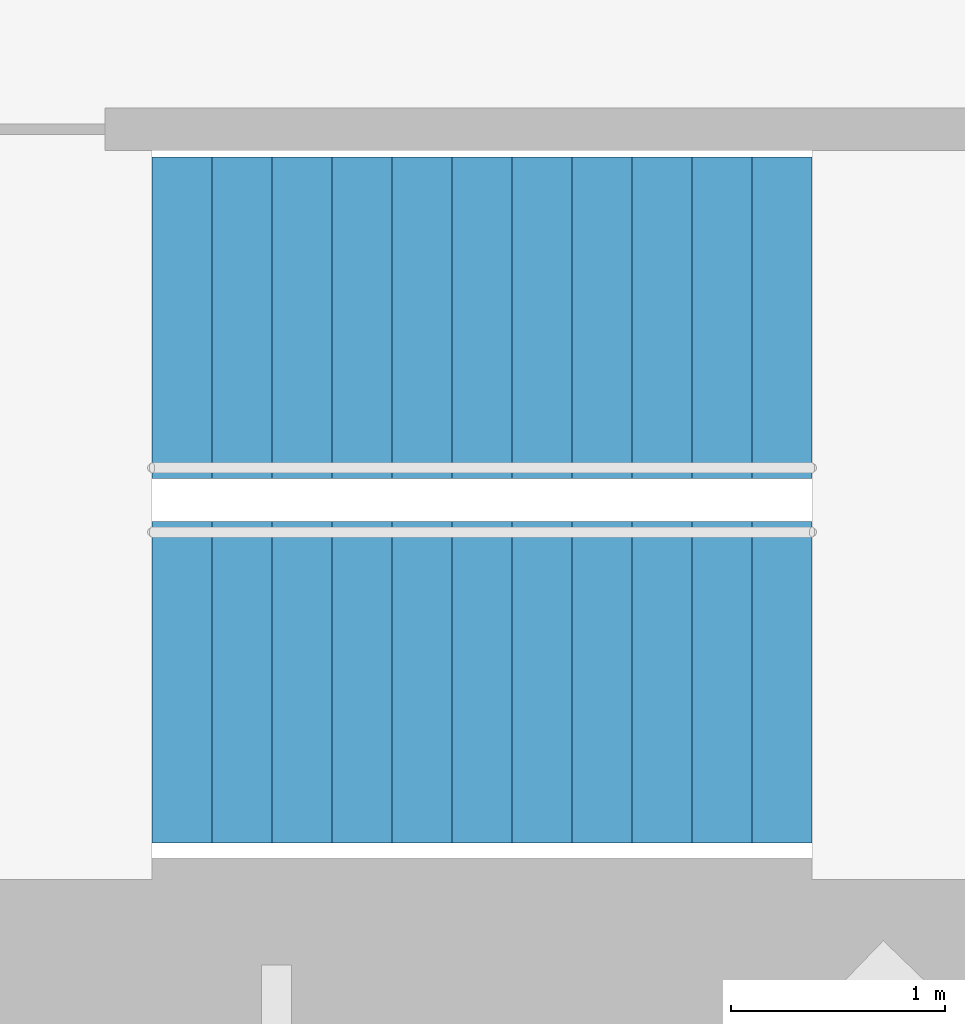
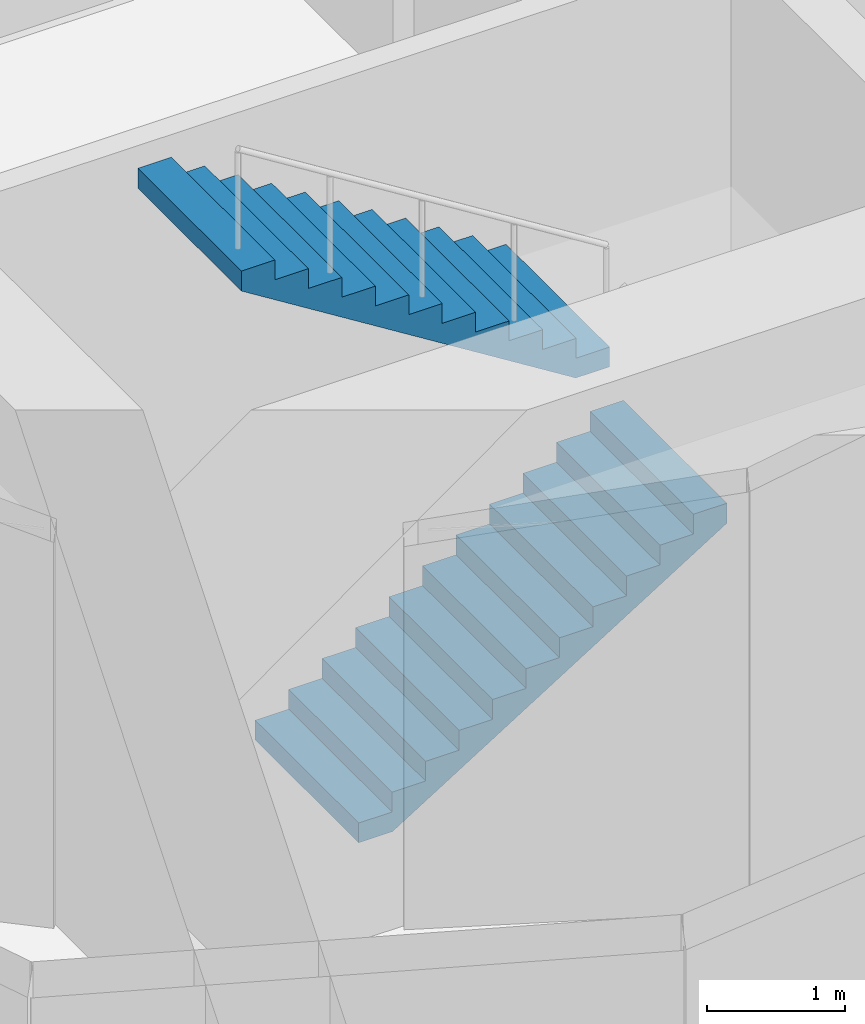
# One storey, part 15 of 17: 2 stair flights, 1 element without a shape of its own.
"""IFC4 building model written with IfcOpenShell, lengths in metres."""

from ifc_helpers import new_model, si_unit, direction, frame, origin, place, context, subcontext, project, spatial, triangles, material, type_object, element, aggregate, save


model = new_model("IFC4")

# Units and contexts
model_context = context("Model", 3, precision=1e-05, world=origin(), true_north=direction((0.0, 1.0)))
body_context = subcontext(model_context, "Body", "Model", "MODEL_VIEW")
ifc_project = project(units=[si_unit("LENGTHUNIT", "METRE"), si_unit("AREAUNIT", "SQUARE_METRE"), si_unit("VOLUMEUNIT", "CUBIC_METRE"), si_unit("PLANEANGLEUNIT", "RADIAN"), si_unit("MASSUNIT", "GRAM", prefix="KILO")], contexts=[model_context])

# Site, building, storey
site_placement = place(None, origin())
site = spatial("IfcSite", under=ifc_project, at=site_placement, CompositionType="ELEMENT")
building_placement = place(site_placement, origin())
building = spatial("IfcBuilding", under=site, at=building_placement, Name="Lantaw Convention Tower", CompositionType="ELEMENT")
storey_placement = place(building_placement, frame((0.0, 0.0, 215.800048828125)))
storey = spatial("IfcBuildingStorey", under=building, at=storey_placement, Name="L50", CompositionType="ELEMENT", Elevation=215.800048828125)

# Stair, stair flights
ifc_material = material(Name="Concrete C35/45", Category="concrete")
stair_type = type_object("IfcStairType", Name="Exit stair 1500 riser 175 in 2 flights", PredefinedType="HALF_TURN_STAIR", material=ifc_material)
stair_placement = place(storey_placement, origin())
stair = element("IfcStair", 1, at=stair_placement, inside=storey, type_object=stair_type, Name="Exit stair S1 L50", PredefinedType="HALF_TURN_STAIR")
stair_flight_type = type_object("IfcStairFlightType", Name="Stair flight 1500 riser 175", PredefinedType="STRAIGHT", material=ifc_material)
stair_flight_1_placement = place(storey_placement, frame((-10.580078125, -5.97998046875, 0.0), z_axis=(0.0, 0.0, 1.0), x_axis=(1.0, 0.0, 0.0)))
stair_flight_1 = element("IfcStairFlight", 2, at=stair_flight_1_placement, type_object=stair_flight_type, Name="S1 flight 1", NumberOfRisers=12, NumberOfTreads=11, PredefinedType="STRAIGHT", RiserHeight=0.175, TreadLength=0.28, context=body_context, shape_type="Tessellation", body=[
    triangles([(0.0, 0.75, 0.0), (0.0, 0.75, 0.175), (0.28, 0.75, 0.0), (0.28, 0.75, 0.175), (0.28, 0.75, 0.35), (0.28283517651771284, 0.75, 0.0), (0.28283517651771284, 0.75, 0.35), (0.56, 0.75, 0.17322801467642948), (0.56, 0.75, 0.35), (0.56, 0.75, 0.5249999999999999), (0.8400000000000001, 0.75, 0.34822801467642944), (0.8400000000000001, 0.75, 0.5249999999999999), (0.8400000000000001, 0.75, 0.7), (1.12, 0.75, 0.5232280146764294), (1.12, 0.75, 0.7), (1.12, 0.75, 0.875), (1.4000000000000001, 0.75, 0.6982280146764295), (1.4000000000000001, 0.75, 0.875), (1.4000000000000001, 0.75, 1.0499999999999998), (1.6800000000000002, 0.75, 0.8732280146764294), (1.6800000000000002, 0.75, 1.0499999999999998), (1.6800000000000002, 0.75, 1.2249999999999999), (1.9600000000000002, 0.75, 1.0482280146764293), (1.9600000000000002, 0.75, 1.2249999999999999), (1.9600000000000002, 0.75, 1.4), (2.24, 0.75, 1.2232280146764294), (2.24, 0.75, 1.4), (2.24, 0.75, 1.575), (2.5200000000000005, 0.75, 1.3982280146764294), (2.5200000000000005, 0.75, 1.575), (2.5200000000000005, 0.75, 1.75), (2.8000000000000003, 0.75, 1.5732280146764293), (2.8000000000000003, 0.75, 1.75), (2.8000000000000003, 0.75, 1.9249999999999998), (3.08, 0.75, 1.7482280146764293), (3.08, 0.75, 1.9249999999999998), (0.0, -0.75, 0.0), (0.0, -0.75, 0.175), (0.28, -0.75, 0.0), (0.28, -0.75, 0.175), (0.28, -0.75, 0.35), (0.28283517651771284, -0.75, 0.0), (0.28283517651771284, -0.75, 0.35), (0.56, -0.75, 0.17322801467642948), (0.56, -0.75, 0.35), (0.56, -0.75, 0.5249999999999999), (0.8400000000000001, -0.75, 0.34822801467642944), (0.8400000000000001, -0.75, 0.5249999999999999), (0.8400000000000001, -0.75, 0.7), (1.12, -0.75, 0.5232280146764294), (1.12, -0.75, 0.7), (1.12, -0.75, 0.875), (1.4000000000000001, -0.75, 0.6982280146764295), (1.4000000000000001, -0.75, 0.875), (1.4000000000000001, -0.75, 1.0499999999999998), (1.6800000000000002, -0.75, 0.8732280146764294), (1.6800000000000002, -0.75, 1.0499999999999998), (1.6800000000000002, -0.75, 1.2249999999999999), (1.9600000000000002, -0.75, 1.0482280146764293), (1.9600000000000002, -0.75, 1.2249999999999999), (1.9600000000000002, -0.75, 1.4), (2.24, -0.75, 1.2232280146764294), (2.24, -0.75, 1.4), (2.24, -0.75, 1.575), (2.5200000000000005, -0.75, 1.3982280146764294), (2.5200000000000005, -0.75, 1.575), (2.5200000000000005, -0.75, 1.75), (2.8000000000000003, -0.75, 1.5732280146764293), (2.8000000000000003, -0.75, 1.75), (2.8000000000000003, -0.75, 1.9249999999999998), (3.08, -0.75, 1.7482280146764293), (3.08, -0.75, 1.9249999999999998), (0.0, 0.15000000000000002, 0.175), (0.0, 0.15000000000000002, 0.0), (0.0, 0.0, 0.175), (0.0, 0.0, 0.0), (0.0, -0.15000000000000002, 0.175), (0.0, -0.15000000000000002, 0.0), (0.28, 0.15000000000000002, 0.35), (0.28, 0.15000000000000002, 0.175), (0.28, 0.0, 0.35), (0.28, 0.0, 0.175), (0.28, -0.15000000000000002, 0.35), (0.28, -0.15000000000000002, 0.175), (0.56, 0.15000000000000002, 0.5249999999999999), (0.56, 0.15000000000000002, 0.35), (0.56, 0.0, 0.5249999999999999), (0.56, 0.0, 0.35), (0.56, -0.15000000000000002, 0.5249999999999999), (0.56, -0.15000000000000002, 0.35), (0.8400000000000001, 0.15000000000000002, 0.7), (0.8400000000000001, 0.15000000000000002, 0.5249999999999999), (0.8400000000000001, 0.0, 0.7), (0.8400000000000001, 0.0, 0.5249999999999999), (0.8400000000000001, -0.15000000000000002, 0.7), (0.8400000000000001, -0.15000000000000002, 0.5249999999999999), (1.12, 0.15000000000000002, 0.875), (1.12, 0.15000000000000002, 0.7), (1.12, 0.0, 0.875), (1.12, 0.0, 0.7), (1.12, -0.15000000000000002, 0.875), (1.12, -0.15000000000000002, 0.7), (1.4000000000000001, 0.15000000000000002, 1.0499999999999998), (1.4000000000000001, 0.15000000000000002, 0.875), (1.4000000000000001, 0.0, 1.0499999999999998), (1.4000000000000001, 0.0, 0.875), (1.4000000000000001, -0.15000000000000002, 1.0499999999999998), (1.4000000000000001, -0.15000000000000002, 0.875), (1.6800000000000002, 0.15000000000000002, 1.2249999999999999), (1.6800000000000002, 0.15000000000000002, 1.0499999999999998), (1.6800000000000002, 0.0, 1.2249999999999999), (1.6800000000000002, 0.0, 1.0499999999999998), (1.6800000000000002, -0.15000000000000002, 1.2249999999999999), (1.6800000000000002, -0.15000000000000002, 1.0499999999999998), (1.9600000000000002, 0.15000000000000002, 1.4), (1.9600000000000002, 0.15000000000000002, 1.2249999999999999), (1.9600000000000002, 0.0, 1.4), (1.9600000000000002, 0.0, 1.2249999999999999), (1.9600000000000002, -0.15000000000000002, 1.4), (1.9600000000000002, -0.15000000000000002, 1.2249999999999999), (2.24, 0.15000000000000002, 1.575), (2.24, 0.15000000000000002, 1.4), (2.24, 0.0, 1.575), (2.24, 0.0, 1.4), (2.24, -0.15000000000000002, 1.575), (2.24, -0.15000000000000002, 1.4), (2.5200000000000005, 0.15000000000000002, 1.75), (2.5200000000000005, 0.15000000000000002, 1.575), (2.5200000000000005, 0.0, 1.75), (2.5200000000000005, 0.0, 1.575), (2.5200000000000005, -0.15000000000000002, 1.75), (2.5200000000000005, -0.15000000000000002, 1.575), (2.8000000000000003, 0.15000000000000002, 1.9249999999999998), (2.8000000000000003, 0.15000000000000002, 1.75), (2.8000000000000003, 0.0, 1.9249999999999998), (2.8000000000000003, 0.0, 1.75), (2.8000000000000003, -0.15000000000000002, 1.9249999999999998), (2.8000000000000003, -0.15000000000000002, 1.75), (0.28283517651771284, 0.15000000000000002, 0.35), (0.28283517651771284, 0.0, 0.35), (0.28283517651771284, -0.15000000000000002, 0.35), (3.08, 0.15000000000000002, 1.9249999999999998), (3.08, 0.0, 1.9249999999999998), (3.08, -0.15000000000000002, 1.9249999999999998), (3.08, 0.15000000000000002, 1.7482280146764293), (3.08, 0.0, 1.7482280146764293), (3.08, -0.15000000000000002, 1.7482280146764293), (2.8000000000000003, 0.15000000000000002, 1.5732280146764293), (2.8000000000000003, 0.0, 1.5732280146764293), (2.8000000000000003, -0.15000000000000002, 1.5732280146764293), (2.5200000000000005, 0.15000000000000002, 1.3982280146764294), (2.5200000000000005, 0.0, 1.3982280146764294), (2.5200000000000005, -0.15000000000000002, 1.3982280146764294), (2.24, 0.15000000000000002, 1.2232280146764294), (2.24, 0.0, 1.2232280146764294), (2.24, -0.15000000000000002, 1.2232280146764294), (1.9600000000000002, 0.15000000000000002, 1.0482280146764293), (1.9600000000000002, 0.0, 1.0482280146764293), (1.9600000000000002, -0.15000000000000002, 1.0482280146764293), (1.6800000000000002, 0.15000000000000002, 0.8732280146764294), (1.6800000000000002, 0.0, 0.8732280146764294), (1.6800000000000002, -0.15000000000000002, 0.8732280146764294), (1.4000000000000001, 0.15000000000000002, 0.6982280146764295), (1.4000000000000001, 0.0, 0.6982280146764295), (1.4000000000000001, -0.15000000000000002, 0.6982280146764295), (1.12, 0.15000000000000002, 0.5232280146764294), (1.12, 0.0, 0.5232280146764294), (1.12, -0.15000000000000002, 0.5232280146764294), (0.8400000000000001, 0.15000000000000002, 0.34822801467642944), (0.8400000000000001, 0.0, 0.34822801467642944), (0.8400000000000001, -0.15000000000000002, 0.34822801467642944), (0.56, 0.15000000000000002, 0.17322801467642948), (0.56, 0.0, 0.17322801467642948), (0.56, -0.15000000000000002, 0.17322801467642948), (0.28283517651771284, 0.15000000000000002, 0.0), (0.28283517651771284, 0.0, 0.0), (0.28283517651771284, -0.15000000000000002, 0.0), (0.28, 0.15000000000000002, 0.0), (0.28, 0.0, 0.0), (0.28, -0.15000000000000002, 0.0)], [[1, 4, 3], [1, 2, 4], [3, 4, 6], [4, 7, 6], [4, 5, 7], [6, 9, 8], [6, 7, 9], [8, 9, 11], [9, 12, 11], [9, 10, 12], [11, 12, 14], [12, 15, 14], [12, 13, 15], [14, 15, 17], [15, 18, 17], [15, 16, 18], [17, 18, 20], [18, 21, 20], [18, 19, 21], [20, 21, 23], [21, 24, 23], [21, 22, 24], [23, 24, 26], [24, 27, 26], [24, 25, 27], [26, 27, 29], [27, 30, 29], [27, 28, 30], [29, 30, 32], [30, 33, 32], [30, 31, 33], [32, 33, 35], [33, 36, 35], [33, 34, 36], [37, 39, 40], [37, 40, 38], [39, 42, 40], [40, 42, 43], [40, 43, 41], [42, 44, 45], [42, 45, 43], [44, 47, 45], [45, 47, 48], [45, 48, 46], [47, 50, 48], [48, 50, 51], [48, 51, 49], [50, 53, 51], [51, 53, 54], [51, 54, 52], [53, 56, 54], [54, 56, 57], [54, 57, 55], [56, 59, 57], [57, 59, 60], [57, 60, 58], [59, 62, 60], [60, 62, 63], [60, 63, 61], [62, 65, 63], [63, 65, 66], [63, 66, 64], [65, 68, 66], [66, 68, 69], [66, 69, 67], [68, 71, 69], [69, 71, 72], [69, 72, 70], [1, 73, 2], [1, 74, 73], [74, 75, 73], [74, 76, 75], [76, 77, 75], [76, 78, 77], [78, 38, 77], [78, 37, 38], [4, 79, 5], [4, 80, 79], [80, 81, 79], [80, 82, 81], [82, 83, 81], [82, 84, 83], [84, 41, 83], [84, 40, 41], [9, 85, 10], [9, 86, 85], [86, 87, 85], [86, 88, 87], [88, 89, 87], [88, 90, 89], [90, 46, 89], [90, 45, 46], [12, 91, 13], [12, 92, 91], [92, 93, 91], [92, 94, 93], [94, 95, 93], [94, 96, 95], [96, 49, 95], [96, 48, 49], [15, 97, 16], [15, 98, 97], [98, 99, 97], [98, 100, 99], [100, 101, 99], [100, 102, 101], [102, 52, 101], [102, 51, 52], [18, 103, 19], [18, 104, 103], [104, 105, 103], [104, 106, 105], [106, 107, 105], [106, 108, 107], [108, 55, 107], [108, 54, 55], [21, 109, 22], [21, 110, 109], [110, 111, 109], [110, 112, 111], [112, 113, 111], [112, 114, 113], [114, 58, 113], [114, 57, 58], [24, 115, 25], [24, 116, 115], [116, 117, 115], [116, 118, 117], [118, 119, 117], [118, 120, 119], [120, 61, 119], [120, 60, 61], [27, 121, 28], [27, 122, 121], [122, 123, 121], [122, 124, 123], [124, 125, 123], [124, 126, 125], [126, 64, 125], [126, 63, 64], [30, 127, 31], [30, 128, 127], [128, 129, 127], [128, 130, 129], [130, 131, 129], [130, 132, 131], [132, 67, 131], [132, 66, 67], [33, 133, 34], [33, 134, 133], [134, 135, 133], [134, 136, 135], [136, 137, 135], [136, 138, 137], [138, 70, 137], [138, 69, 70], [2, 80, 4], [2, 73, 80], [73, 82, 80], [73, 75, 82], [75, 84, 82], [75, 77, 84], [77, 40, 84], [77, 38, 40], [5, 139, 7], [5, 79, 139], [79, 140, 139], [79, 81, 140], [81, 141, 140], [81, 83, 141], [83, 43, 141], [83, 41, 43], [7, 86, 9], [7, 139, 86], [139, 88, 86], [139, 140, 88], [140, 90, 88], [140, 141, 90], [141, 45, 90], [141, 43, 45], [10, 92, 12], [10, 85, 92], [85, 94, 92], [85, 87, 94], [87, 96, 94], [87, 89, 96], [89, 48, 96], [89, 46, 48], [13, 98, 15], [13, 91, 98], [91, 100, 98], [91, 93, 100], [93, 102, 100], [93, 95, 102], [95, 51, 102], [95, 49, 51], [16, 104, 18], [16, 97, 104], [97, 106, 104], [97, 99, 106], [99, 108, 106], [99, 101, 108], [101, 54, 108], [101, 52, 54], [19, 110, 21], [19, 103, 110], [103, 112, 110], [103, 105, 112], [105, 114, 112], [105, 107, 114], [107, 57, 114], [107, 55, 57], [22, 116, 24], [22, 109, 116], [109, 118, 116], [109, 111, 118], [111, 120, 118], [111, 113, 120], [113, 60, 120], [113, 58, 60], [25, 122, 27], [25, 115, 122], [115, 124, 122], [115, 117, 124], [117, 126, 124], [117, 119, 126], [119, 63, 126], [119, 61, 63], [28, 128, 30], [28, 121, 128], [121, 130, 128], [121, 123, 130], [123, 132, 130], [123, 125, 132], [125, 66, 132], [125, 64, 66], [31, 134, 33], [31, 127, 134], [127, 136, 134], [127, 129, 136], [129, 138, 136], [129, 131, 138], [131, 69, 138], [131, 67, 69], [34, 142, 36], [34, 133, 142], [133, 143, 142], [133, 135, 143], [135, 144, 143], [135, 137, 144], [137, 72, 144], [137, 70, 72], [36, 145, 35], [36, 142, 145], [142, 146, 145], [142, 143, 146], [143, 147, 146], [143, 144, 147], [144, 71, 147], [144, 72, 71], [35, 148, 32], [35, 145, 148], [145, 149, 148], [145, 146, 149], [146, 150, 149], [146, 147, 150], [147, 68, 150], [147, 71, 68], [32, 151, 29], [32, 148, 151], [148, 152, 151], [148, 149, 152], [149, 153, 152], [149, 150, 153], [150, 65, 153], [150, 68, 65], [29, 154, 26], [29, 151, 154], [151, 155, 154], [151, 152, 155], [152, 156, 155], [152, 153, 156], [153, 62, 156], [153, 65, 62], [26, 157, 23], [26, 154, 157], [154, 158, 157], [154, 155, 158], [155, 159, 158], [155, 156, 159], [156, 59, 159], [156, 62, 59], [23, 160, 20], [23, 157, 160], [157, 161, 160], [157, 158, 161], [158, 162, 161], [158, 159, 162], [159, 56, 162], [159, 59, 56], [20, 163, 17], [20, 160, 163], [160, 164, 163], [160, 161, 164], [161, 165, 164], [161, 162, 165], [162, 53, 165], [162, 56, 53], [17, 166, 14], [17, 163, 166], [163, 167, 166], [163, 164, 167], [164, 168, 167], [164, 165, 168], [165, 50, 168], [165, 53, 50], [14, 169, 11], [14, 166, 169], [166, 170, 169], [166, 167, 170], [167, 171, 170], [167, 168, 171], [168, 47, 171], [168, 50, 47], [11, 172, 8], [11, 169, 172], [169, 173, 172], [169, 170, 173], [170, 174, 173], [170, 171, 174], [171, 44, 174], [171, 47, 44], [8, 175, 6], [8, 172, 175], [172, 176, 175], [172, 173, 176], [173, 177, 176], [173, 174, 177], [174, 42, 177], [174, 44, 42], [6, 178, 3], [6, 175, 178], [175, 179, 178], [175, 176, 179], [176, 180, 179], [176, 177, 180], [177, 39, 180], [177, 42, 39], [3, 74, 1], [3, 178, 74], [178, 76, 74], [178, 179, 76], [179, 78, 76], [179, 180, 78], [180, 37, 78], [180, 39, 37]], closed=True),
])
stair_flight_2_placement = place(storey_placement, frame((-7.5, -4.280029296875, 2.099853515625), z_axis=(0.0, 0.0, 1.0), x_axis=(-1.0, 0.0, 0.0)))
stair_flight_2 = element("IfcStairFlight", 3, at=stair_flight_2_placement, type_object=stair_flight_type, Name="S1 flight 2", NumberOfRisers=12, NumberOfTreads=11, PredefinedType="STRAIGHT", RiserHeight=0.175, TreadLength=0.28, context=body_context, shape_type="Tessellation", body=[
    triangles([(0.0, 0.75, 0.0), (0.0, 0.75, 0.175), (0.28, 0.75, 0.0), (0.28, 0.75, 0.175), (0.28, 0.75, 0.35), (0.28283517651771284, 0.75, 0.0), (0.28283517651771284, 0.75, 0.35), (0.56, 0.75, 0.17322801467642948), (0.56, 0.75, 0.35), (0.56, 0.75, 0.5249999999999999), (0.8400000000000001, 0.75, 0.34822801467642944), (0.8400000000000001, 0.75, 0.5249999999999999), (0.8400000000000001, 0.75, 0.7), (1.12, 0.75, 0.5232280146764294), (1.12, 0.75, 0.7), (1.12, 0.75, 0.875), (1.4000000000000001, 0.75, 0.6982280146764295), (1.4000000000000001, 0.75, 0.875), (1.4000000000000001, 0.75, 1.0499999999999998), (1.6800000000000002, 0.75, 0.8732280146764294), (1.6800000000000002, 0.75, 1.0499999999999998), (1.6800000000000002, 0.75, 1.2249999999999999), (1.9600000000000002, 0.75, 1.0482280146764293), (1.9600000000000002, 0.75, 1.2249999999999999), (1.9600000000000002, 0.75, 1.4), (2.24, 0.75, 1.2232280146764294), (2.24, 0.75, 1.4), (2.24, 0.75, 1.575), (2.5200000000000005, 0.75, 1.3982280146764294), (2.5200000000000005, 0.75, 1.575), (2.5200000000000005, 0.75, 1.75), (2.8000000000000003, 0.75, 1.5732280146764293), (2.8000000000000003, 0.75, 1.75), (2.8000000000000003, 0.75, 1.9249999999999998), (3.08, 0.75, 1.7482280146764293), (3.08, 0.75, 1.9249999999999998), (0.0, -0.75, 0.0), (0.0, -0.75, 0.175), (0.28, -0.75, 0.0), (0.28, -0.75, 0.175), (0.28, -0.75, 0.35), (0.28283517651771284, -0.75, 0.0), (0.28283517651771284, -0.75, 0.35), (0.56, -0.75, 0.17322801467642948), (0.56, -0.75, 0.35), (0.56, -0.75, 0.5249999999999999), (0.8400000000000001, -0.75, 0.34822801467642944), (0.8400000000000001, -0.75, 0.5249999999999999), (0.8400000000000001, -0.75, 0.7), (1.12, -0.75, 0.5232280146764294), (1.12, -0.75, 0.7), (1.12, -0.75, 0.875), (1.4000000000000001, -0.75, 0.6982280146764295), (1.4000000000000001, -0.75, 0.875), (1.4000000000000001, -0.75, 1.0499999999999998), (1.6800000000000002, -0.75, 0.8732280146764294), (1.6800000000000002, -0.75, 1.0499999999999998), (1.6800000000000002, -0.75, 1.2249999999999999), (1.9600000000000002, -0.75, 1.0482280146764293), (1.9600000000000002, -0.75, 1.2249999999999999), (1.9600000000000002, -0.75, 1.4), (2.24, -0.75, 1.2232280146764294), (2.24, -0.75, 1.4), (2.24, -0.75, 1.575), (2.5200000000000005, -0.75, 1.3982280146764294), (2.5200000000000005, -0.75, 1.575), (2.5200000000000005, -0.75, 1.75), (2.8000000000000003, -0.75, 1.5732280146764293), (2.8000000000000003, -0.75, 1.75), (2.8000000000000003, -0.75, 1.9249999999999998), (3.08, -0.75, 1.7482280146764293), (3.08, -0.75, 1.9249999999999998), (0.0, 0.15000000000000002, 0.175), (0.0, 0.15000000000000002, 0.0), (0.0, 0.0, 0.175), (0.0, 0.0, 0.0), (0.0, -0.15000000000000002, 0.175), (0.0, -0.15000000000000002, 0.0), (0.28, 0.15000000000000002, 0.35), (0.28, 0.15000000000000002, 0.175), (0.28, 0.0, 0.35), (0.28, 0.0, 0.175), (0.28, -0.15000000000000002, 0.35), (0.28, -0.15000000000000002, 0.175), (0.56, 0.15000000000000002, 0.5249999999999999), (0.56, 0.15000000000000002, 0.35), (0.56, 0.0, 0.5249999999999999), (0.56, 0.0, 0.35), (0.56, -0.15000000000000002, 0.5249999999999999), (0.56, -0.15000000000000002, 0.35), (0.8400000000000001, 0.15000000000000002, 0.7), (0.8400000000000001, 0.15000000000000002, 0.5249999999999999), (0.8400000000000001, 0.0, 0.7), (0.8400000000000001, 0.0, 0.5249999999999999), (0.8400000000000001, -0.15000000000000002, 0.7), (0.8400000000000001, -0.15000000000000002, 0.5249999999999999), (1.12, 0.15000000000000002, 0.875), (1.12, 0.15000000000000002, 0.7), (1.12, 0.0, 0.875), (1.12, 0.0, 0.7), (1.12, -0.15000000000000002, 0.875), (1.12, -0.15000000000000002, 0.7), (1.4000000000000001, 0.15000000000000002, 1.0499999999999998), (1.4000000000000001, 0.15000000000000002, 0.875), (1.4000000000000001, 0.0, 1.0499999999999998), (1.4000000000000001, 0.0, 0.875), (1.4000000000000001, -0.15000000000000002, 1.0499999999999998), (1.4000000000000001, -0.15000000000000002, 0.875), (1.6800000000000002, 0.15000000000000002, 1.2249999999999999), (1.6800000000000002, 0.15000000000000002, 1.0499999999999998), (1.6800000000000002, 0.0, 1.2249999999999999), (1.6800000000000002, 0.0, 1.0499999999999998), (1.6800000000000002, -0.15000000000000002, 1.2249999999999999), (1.6800000000000002, -0.15000000000000002, 1.0499999999999998), (1.9600000000000002, 0.15000000000000002, 1.4), (1.9600000000000002, 0.15000000000000002, 1.2249999999999999), (1.9600000000000002, 0.0, 1.4), (1.9600000000000002, 0.0, 1.2249999999999999), (1.9600000000000002, -0.15000000000000002, 1.4), (1.9600000000000002, -0.15000000000000002, 1.2249999999999999), (2.24, 0.15000000000000002, 1.575), (2.24, 0.15000000000000002, 1.4), (2.24, 0.0, 1.575), (2.24, 0.0, 1.4), (2.24, -0.15000000000000002, 1.575), (2.24, -0.15000000000000002, 1.4), (2.5200000000000005, 0.15000000000000002, 1.75), (2.5200000000000005, 0.15000000000000002, 1.575), (2.5200000000000005, 0.0, 1.75), (2.5200000000000005, 0.0, 1.575), (2.5200000000000005, -0.15000000000000002, 1.75), (2.5200000000000005, -0.15000000000000002, 1.575), (2.8000000000000003, 0.15000000000000002, 1.9249999999999998), (2.8000000000000003, 0.15000000000000002, 1.75), (2.8000000000000003, 0.0, 1.9249999999999998), (2.8000000000000003, 0.0, 1.75), (2.8000000000000003, -0.15000000000000002, 1.9249999999999998), (2.8000000000000003, -0.15000000000000002, 1.75), (0.28283517651771284, 0.15000000000000002, 0.35), (0.28283517651771284, 0.0, 0.35), (0.28283517651771284, -0.15000000000000002, 0.35), (3.08, 0.15000000000000002, 1.9249999999999998), (3.08, 0.0, 1.9249999999999998), (3.08, -0.15000000000000002, 1.9249999999999998), (3.08, 0.15000000000000002, 1.7482280146764293), (3.08, 0.0, 1.7482280146764293), (3.08, -0.15000000000000002, 1.7482280146764293), (2.8000000000000003, 0.15000000000000002, 1.5732280146764293), (2.8000000000000003, 0.0, 1.5732280146764293), (2.8000000000000003, -0.15000000000000002, 1.5732280146764293), (2.5200000000000005, 0.15000000000000002, 1.3982280146764294), (2.5200000000000005, 0.0, 1.3982280146764294), (2.5200000000000005, -0.15000000000000002, 1.3982280146764294), (2.24, 0.15000000000000002, 1.2232280146764294), (2.24, 0.0, 1.2232280146764294), (2.24, -0.15000000000000002, 1.2232280146764294), (1.9600000000000002, 0.15000000000000002, 1.0482280146764293), (1.9600000000000002, 0.0, 1.0482280146764293), (1.9600000000000002, -0.15000000000000002, 1.0482280146764293), (1.6800000000000002, 0.15000000000000002, 0.8732280146764294), (1.6800000000000002, 0.0, 0.8732280146764294), (1.6800000000000002, -0.15000000000000002, 0.8732280146764294), (1.4000000000000001, 0.15000000000000002, 0.6982280146764295), (1.4000000000000001, 0.0, 0.6982280146764295), (1.4000000000000001, -0.15000000000000002, 0.6982280146764295), (1.12, 0.15000000000000002, 0.5232280146764294), (1.12, 0.0, 0.5232280146764294), (1.12, -0.15000000000000002, 0.5232280146764294), (0.8400000000000001, 0.15000000000000002, 0.34822801467642944), (0.8400000000000001, 0.0, 0.34822801467642944), (0.8400000000000001, -0.15000000000000002, 0.34822801467642944), (0.56, 0.15000000000000002, 0.17322801467642948), (0.56, 0.0, 0.17322801467642948), (0.56, -0.15000000000000002, 0.17322801467642948), (0.28283517651771284, 0.15000000000000002, 0.0), (0.28283517651771284, 0.0, 0.0), (0.28283517651771284, -0.15000000000000002, 0.0), (0.28, 0.15000000000000002, 0.0), (0.28, 0.0, 0.0), (0.28, -0.15000000000000002, 0.0)], [[1, 4, 3], [1, 2, 4], [3, 4, 6], [4, 7, 6], [4, 5, 7], [6, 9, 8], [6, 7, 9], [8, 9, 11], [9, 12, 11], [9, 10, 12], [11, 12, 14], [12, 15, 14], [12, 13, 15], [14, 15, 17], [15, 18, 17], [15, 16, 18], [17, 18, 20], [18, 21, 20], [18, 19, 21], [20, 21, 23], [21, 24, 23], [21, 22, 24], [23, 24, 26], [24, 27, 26], [24, 25, 27], [26, 27, 29], [27, 30, 29], [27, 28, 30], [29, 30, 32], [30, 33, 32], [30, 31, 33], [32, 33, 35], [33, 36, 35], [33, 34, 36], [37, 39, 40], [37, 40, 38], [39, 42, 40], [40, 42, 43], [40, 43, 41], [42, 44, 45], [42, 45, 43], [44, 47, 45], [45, 47, 48], [45, 48, 46], [47, 50, 48], [48, 50, 51], [48, 51, 49], [50, 53, 51], [51, 53, 54], [51, 54, 52], [53, 56, 54], [54, 56, 57], [54, 57, 55], [56, 59, 57], [57, 59, 60], [57, 60, 58], [59, 62, 60], [60, 62, 63], [60, 63, 61], [62, 65, 63], [63, 65, 66], [63, 66, 64], [65, 68, 66], [66, 68, 69], [66, 69, 67], [68, 71, 69], [69, 71, 72], [69, 72, 70], [1, 73, 2], [1, 74, 73], [74, 75, 73], [74, 76, 75], [76, 77, 75], [76, 78, 77], [78, 38, 77], [78, 37, 38], [4, 79, 5], [4, 80, 79], [80, 81, 79], [80, 82, 81], [82, 83, 81], [82, 84, 83], [84, 41, 83], [84, 40, 41], [9, 85, 10], [9, 86, 85], [86, 87, 85], [86, 88, 87], [88, 89, 87], [88, 90, 89], [90, 46, 89], [90, 45, 46], [12, 91, 13], [12, 92, 91], [92, 93, 91], [92, 94, 93], [94, 95, 93], [94, 96, 95], [96, 49, 95], [96, 48, 49], [15, 97, 16], [15, 98, 97], [98, 99, 97], [98, 100, 99], [100, 101, 99], [100, 102, 101], [102, 52, 101], [102, 51, 52], [18, 103, 19], [18, 104, 103], [104, 105, 103], [104, 106, 105], [106, 107, 105], [106, 108, 107], [108, 55, 107], [108, 54, 55], [21, 109, 22], [21, 110, 109], [110, 111, 109], [110, 112, 111], [112, 113, 111], [112, 114, 113], [114, 58, 113], [114, 57, 58], [24, 115, 25], [24, 116, 115], [116, 117, 115], [116, 118, 117], [118, 119, 117], [118, 120, 119], [120, 61, 119], [120, 60, 61], [27, 121, 28], [27, 122, 121], [122, 123, 121], [122, 124, 123], [124, 125, 123], [124, 126, 125], [126, 64, 125], [126, 63, 64], [30, 127, 31], [30, 128, 127], [128, 129, 127], [128, 130, 129], [130, 131, 129], [130, 132, 131], [132, 67, 131], [132, 66, 67], [33, 133, 34], [33, 134, 133], [134, 135, 133], [134, 136, 135], [136, 137, 135], [136, 138, 137], [138, 70, 137], [138, 69, 70], [2, 80, 4], [2, 73, 80], [73, 82, 80], [73, 75, 82], [75, 84, 82], [75, 77, 84], [77, 40, 84], [77, 38, 40], [5, 139, 7], [5, 79, 139], [79, 140, 139], [79, 81, 140], [81, 141, 140], [81, 83, 141], [83, 43, 141], [83, 41, 43], [7, 86, 9], [7, 139, 86], [139, 88, 86], [139, 140, 88], [140, 90, 88], [140, 141, 90], [141, 45, 90], [141, 43, 45], [10, 92, 12], [10, 85, 92], [85, 94, 92], [85, 87, 94], [87, 96, 94], [87, 89, 96], [89, 48, 96], [89, 46, 48], [13, 98, 15], [13, 91, 98], [91, 100, 98], [91, 93, 100], [93, 102, 100], [93, 95, 102], [95, 51, 102], [95, 49, 51], [16, 104, 18], [16, 97, 104], [97, 106, 104], [97, 99, 106], [99, 108, 106], [99, 101, 108], [101, 54, 108], [101, 52, 54], [19, 110, 21], [19, 103, 110], [103, 112, 110], [103, 105, 112], [105, 114, 112], [105, 107, 114], [107, 57, 114], [107, 55, 57], [22, 116, 24], [22, 109, 116], [109, 118, 116], [109, 111, 118], [111, 120, 118], [111, 113, 120], [113, 60, 120], [113, 58, 60], [25, 122, 27], [25, 115, 122], [115, 124, 122], [115, 117, 124], [117, 126, 124], [117, 119, 126], [119, 63, 126], [119, 61, 63], [28, 128, 30], [28, 121, 128], [121, 130, 128], [121, 123, 130], [123, 132, 130], [123, 125, 132], [125, 66, 132], [125, 64, 66], [31, 134, 33], [31, 127, 134], [127, 136, 134], [127, 129, 136], [129, 138, 136], [129, 131, 138], [131, 69, 138], [131, 67, 69], [34, 142, 36], [34, 133, 142], [133, 143, 142], [133, 135, 143], [135, 144, 143], [135, 137, 144], [137, 72, 144], [137, 70, 72], [36, 145, 35], [36, 142, 145], [142, 146, 145], [142, 143, 146], [143, 147, 146], [143, 144, 147], [144, 71, 147], [144, 72, 71], [35, 148, 32], [35, 145, 148], [145, 149, 148], [145, 146, 149], [146, 150, 149], [146, 147, 150], [147, 68, 150], [147, 71, 68], [32, 151, 29], [32, 148, 151], [148, 152, 151], [148, 149, 152], [149, 153, 152], [149, 150, 153], [150, 65, 153], [150, 68, 65], [29, 154, 26], [29, 151, 154], [151, 155, 154], [151, 152, 155], [152, 156, 155], [152, 153, 156], [153, 62, 156], [153, 65, 62], [26, 157, 23], [26, 154, 157], [154, 158, 157], [154, 155, 158], [155, 159, 158], [155, 156, 159], [156, 59, 159], [156, 62, 59], [23, 160, 20], [23, 157, 160], [157, 161, 160], [157, 158, 161], [158, 162, 161], [158, 159, 162], [159, 56, 162], [159, 59, 56], [20, 163, 17], [20, 160, 163], [160, 164, 163], [160, 161, 164], [161, 165, 164], [161, 162, 165], [162, 53, 165], [162, 56, 53], [17, 166, 14], [17, 163, 166], [163, 167, 166], [163, 164, 167], [164, 168, 167], [164, 165, 168], [165, 50, 168], [165, 53, 50], [14, 169, 11], [14, 166, 169], [166, 170, 169], [166, 167, 170], [167, 171, 170], [167, 168, 171], [168, 47, 171], [168, 50, 47], [11, 172, 8], [11, 169, 172], [169, 173, 172], [169, 170, 173], [170, 174, 173], [170, 171, 174], [171, 44, 174], [171, 47, 44], [8, 175, 6], [8, 172, 175], [172, 176, 175], [172, 173, 176], [173, 177, 176], [173, 174, 177], [174, 42, 177], [174, 44, 42], [6, 178, 3], [6, 175, 178], [175, 179, 178], [175, 176, 179], [176, 180, 179], [176, 177, 180], [177, 39, 180], [177, 42, 39], [3, 74, 1], [3, 178, 74], [178, 76, 74], [178, 179, 76], [179, 78, 76], [179, 180, 78], [180, 37, 78], [180, 39, 37]], closed=True),
])
aggregate(stair, [stair_flight_1, stair_flight_2])

save(model, "model.ifc")
